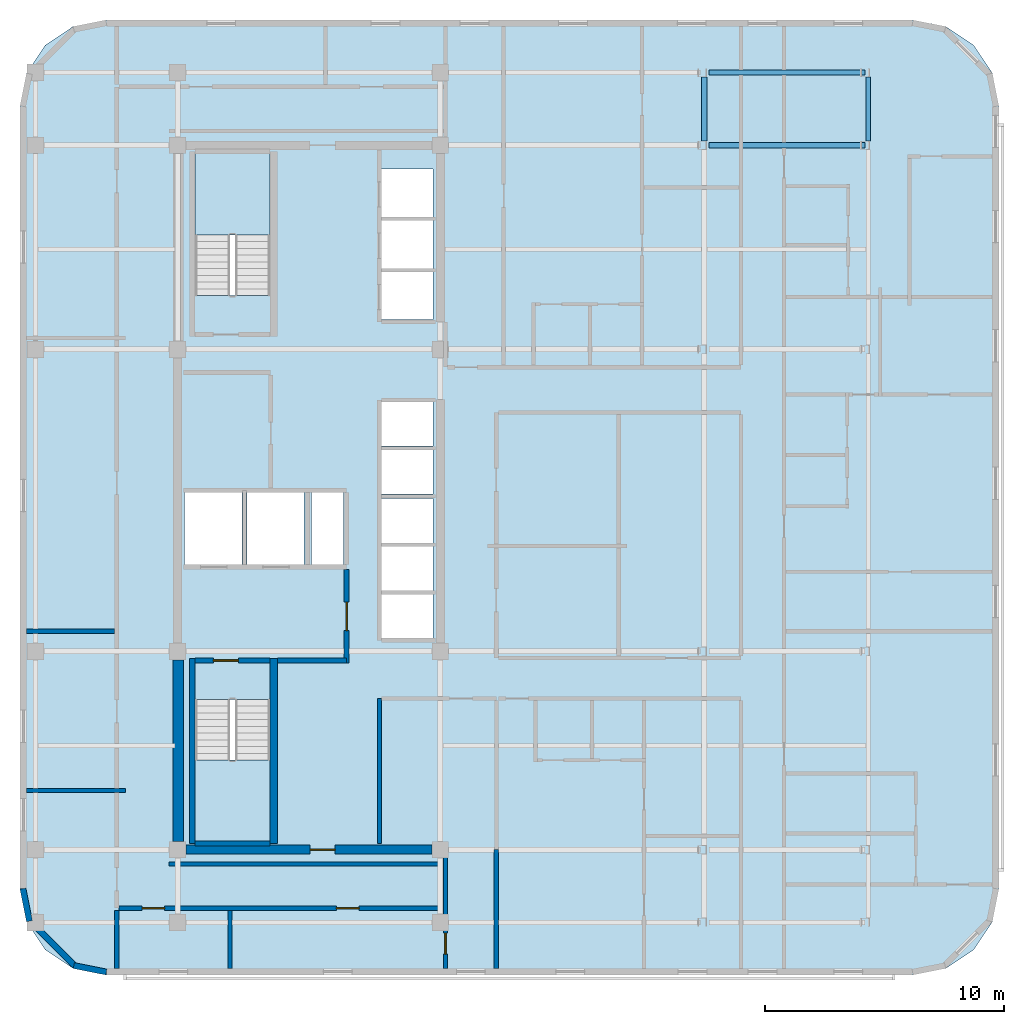
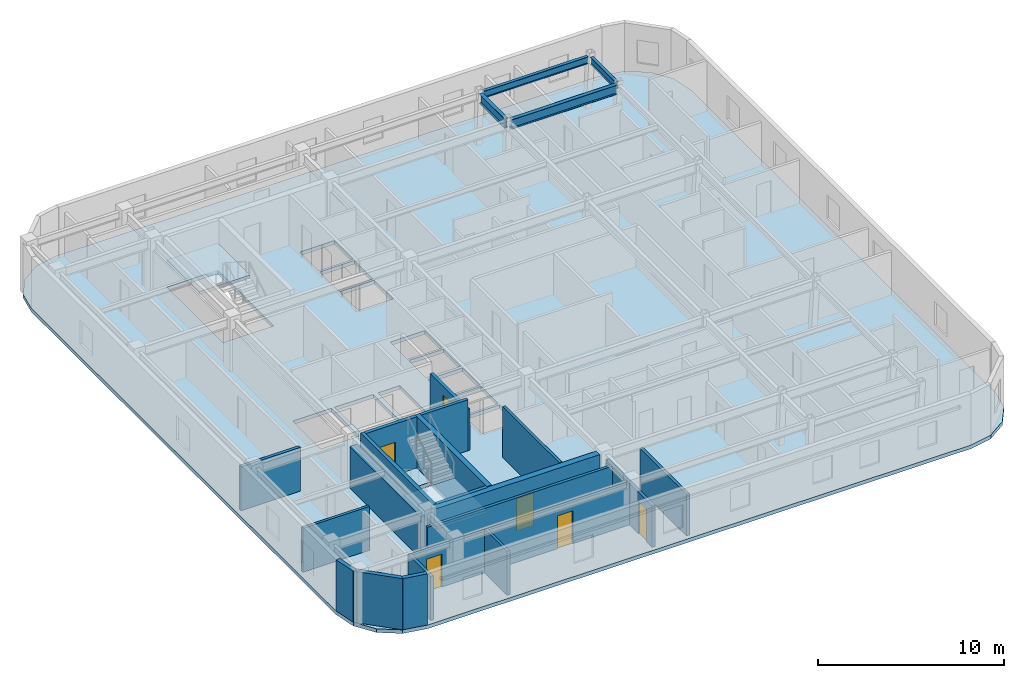
# One storey, part 2 of 10: 20 walls, 6 doors, 4 beams, 3 slabs, 6 openings, 2 elements without a shape of their own.
"""IFC4 building model written with IfcOpenShell, lengths in metres."""

from ifc_helpers import new_model, si_unit, direction, frame, frame_2d, origin, origin_2d, place, context, subcontext, project, spatial, polyline, rectangle, i_section, outline, extrude, material, layer, layer_set, material_profile, profile_set, type_object, element, fill, aggregate, save


model = new_model("IFC4")

# Units and contexts
model_context = context("Model", 3, precision=1e-05, world=origin(), true_north=direction((0.0, 1.0)))
body_context = subcontext(model_context, "Body", "Model", "MODEL_VIEW")
ifc_project = project(units=[si_unit("LENGTHUNIT", "METRE"), si_unit("AREAUNIT", "SQUARE_METRE"), si_unit("VOLUMEUNIT", "CUBIC_METRE"), si_unit("PLANEANGLEUNIT", "RADIAN"), si_unit("MASSUNIT", "GRAM", prefix="KILO")], contexts=[model_context])

# Site, building, storey
site_placement = place(None, origin())
site = spatial("IfcSite", under=ifc_project, at=site_placement, CompositionType="ELEMENT")
building_placement = place(site_placement, origin())
building = spatial("IfcBuilding", under=site, at=building_placement, Name="Ochreholt Gables", CompositionType="ELEMENT")
storey_placement = place(building_placement, frame((0.0, 0.0, 177.60009765625)))
storey = spatial("IfcBuildingStorey", under=building, at=storey_placement, Name="L46", CompositionType="ELEMENT", Elevation=177.60009765625)

# Beams
ifc_material_1 = material(Name="Steel CSA G40.21 350W", Category="steel")
ifc_material_profile_1 = material_profile(ifc_material_1, i_section(OverallWidth=0.22900390625, OverallDepth=0.612060546875, WebThickness=0.011962890625, FlangeThickness=0.01953125, at=origin_2d()), Name="W610X125")
ifc_profile_set_1 = profile_set([ifc_material_profile_1], Name="Steel CSA G40.21 350W")
beam_type_1 = type_object("IfcBeamType", Name="BM-G-W610B", PredefinedType="BEAM", material=ifc_profile_set_1)
beam_1_placement = place(storey_placement, frame((46.45556640625, 38.75, 3.053955078125), z_axis=(1.0, 0.0, 0.0), x_axis=(0.0, 1.0, 0.0)))
element("IfcBeam", 1, at=beam_1_placement, inside=storey, type_object=beam_type_1, Name="L46 Beam TBG-L46-EMEE-Y5", PredefinedType="BEAM", context=body_context, shape_type="SweptSolid", body=[
    extrude(i_section(OverallWidth=0.22900390625, OverallDepth=0.612060546875, WebThickness=0.011962890625, FlangeThickness=0.01953125, at=origin_2d()), origin(), (0.0, 0.0, 1.0), 6.533203125),
])
beam_2_placement = place(storey_placement, frame((46.2607421875, 38.927490234375, 3.053955078125), z_axis=(0.0, 1.0, 0.0), x_axis=(-1.0, 0.0, 0.0)))
element("IfcBeam", 2, at=beam_2_placement, inside=storey, type_object=beam_type_1, Name="L46 Beam TBN-L46-EM-Y5Y6", PredefinedType="BEAM", context=body_context, shape_type="SweptSolid", body=[
    extrude(i_section(OverallWidth=0.22900390625, OverallDepth=0.612060546875, WebThickness=0.011962890625, FlangeThickness=0.01953125, at=origin_2d()), origin(), (0.0, 0.0, 1.0), 2.69482421875),
])
ifc_material_profile_2 = material_profile(ifc_material_1, i_section(OverallWidth=0.19189453125, OverallDepth=0.462890625, WebThickness=0.010498046875, FlangeThickness=0.017578125, at=origin_2d()), Name="W460X89")
ifc_profile_set_2 = profile_set([ifc_material_profile_2], Name="Steel CSA G40.21 350W")
beam_type_2 = type_object("IfcBeamType", Name="BM-SP-W460A", PredefinedType="SPANDREL", material=ifc_profile_set_2)
beam_3_placement = place(storey_placement, frame((46.45556640625, 41.800048828125, 3.12841796875), z_axis=(1.0, 0.0, 0.0), x_axis=(0.0, 1.0, 0.0)))
element("IfcBeam", 3, at=beam_3_placement, inside=storey, type_object=beam_type_2, Name="L46 Beam TBG-L46-EMEE-Y6", PredefinedType="SPANDREL", context=body_context, shape_type="SweptSolid", body=[
    extrude(i_section(OverallWidth=0.19189453125, OverallDepth=0.462890625, WebThickness=0.010498046875, FlangeThickness=0.017578125, at=origin_2d()), origin(), (0.0, 0.0, 1.0), 6.533203125),
])
beam_4_placement = place(storey_placement, frame((53.137939453125, 38.927490234375, 3.12841796875), z_axis=(0.0, 1.0, 0.0), x_axis=(-1.0, 0.0, 0.0)))
element("IfcBeam", 4, at=beam_4_placement, inside=storey, type_object=beam_type_2, Name="L46 Beam TBN-L46-EE-Y5Y6", PredefinedType="SPANDREL", context=body_context, shape_type="SweptSolid", body=[
    extrude(i_section(OverallWidth=0.19189453125, OverallDepth=0.462890625, WebThickness=0.010498046875, FlangeThickness=0.017578125, at=origin_2d()), origin(), (0.0, 0.0, 1.0), 2.69482421875),
])

# Stair, slab
ifc_material_2 = material(Name="Concrete 40 MPa", Category="concrete")
stair_type_1 = type_object("IfcStairType", Name="STAIR-CORE-ST-1", PredefinedType="HALF_TURN_STAIR", material=ifc_material_2)
stair_1_placement = place(storey_placement, origin())
stair_1 = element("IfcStair", 5, at=stair_1_placement, inside=storey, type_object=stair_type_1, Name="L46 Core Exit Stair 1", PredefinedType="HALF_TURN_STAIR")
ifc_layer_1 = layer(ifc_material_2, 0.199951171875, Name="Concrete 40 MPa")
ifc_layer_set_1 = layer_set([ifc_layer_1], Name="Concrete 40 MPa")
slab_type_1 = type_object("IfcSlabType", Name="LANDING-RC200", PredefinedType="LANDING", material=ifc_layer_set_1)
slab_1_placement = place(storey_placement, frame((0.0, 0.0, 1.599853515625)))
slab_1 = element("IfcSlab", 6, at=slab_1_placement, type_object=slab_type_1, Name="ST-1 landing 1", PredefinedType="LANDING", context=body_context, shape_type="SweptSolid", body=[
    extrude(outline(polyline([(24.919921875, 13.001953125), (24.919921875, 9.52001953125), (28.080078125, 9.52001953125), (28.080078125, 13.001953125), (24.919921875, 13.001953125)])), origin(), (0.0, 0.0, 1.0), 0.199951171875),
])
aggregate(stair_1, [slab_1])

stair_type_2 = type_object("IfcStairType", Name="STAIR-CORE-ST-2", PredefinedType="HALF_TURN_STAIR", material=ifc_material_2)
stair_2_placement = place(storey_placement, origin())
stair_2 = element("IfcStair", 7, at=stair_2_placement, inside=storey, type_object=stair_type_2, Name="L46 Core Exit Stair 2", PredefinedType="HALF_TURN_STAIR")
slab_2_placement = place(storey_placement, frame((0.0, 0.0, 1.599853515625)))
slab_2 = element("IfcSlab", 8, at=slab_2_placement, type_object=slab_type_1, Name="ST-2 landing 1", PredefinedType="LANDING", context=body_context, shape_type="SweptSolid", body=[
    extrude(outline(polyline([(28.080078125, 34.998046875), (28.080078125, 38.47998046875), (24.919921875, 38.47998046875), (24.919921875, 34.998046875), (28.080078125, 34.998046875)])), origin(), (0.0, 0.0, 1.0), 0.199951171875),
])
aggregate(stair_2, [slab_2])

# Slab
ifc_layer_2 = layer(ifc_material_2, 0.239990234375, Name="Concrete 40 MPa")
ifc_layer_set_2 = layer_set([ifc_layer_2], Name="Concrete 40 MPa")
slab_type_2 = type_object("IfcSlabType", Name="SLAB-TWR-240", PredefinedType="FLOOR", material=ifc_layer_set_2)
slab_3_placement = place(storey_placement, frame((0.0, 0.0, -0.239990234375)))
element("IfcSlab", 9, at=slab_3_placement, inside=storey, type_object=slab_type_2, Name="L46 Structural Floor Slab", PredefinedType="FLOOR", context=body_context, shape_type="SweptSolid", body=[
    extrude(outline(polyline([(17.60009765625, 7.60009765625), (17.8740234375, 6.222412109375), (18.654296875, 5.054443359375), (19.822265625, 4.27392578125), (21.199951171875, 4.0), (55.0, 4.0), (56.377685546875, 4.27392578125), (57.545654296875, 5.054443359375), (58.325927734375, 6.222412109375), (58.60009765625, 7.60009765625), (58.60009765625, 40.39990234375), (58.325927734375, 41.777587890625), (57.545654296875, 42.945556640625), (56.377685546875, 43.72607421875), (55.0, 44.0), (21.199951171875, 44.0), (19.822265625, 43.72607421875), (18.654296875, 42.945556640625), (17.8740234375, 41.777587890625), (17.60009765625, 40.39990234375), (17.60009765625, 7.60009765625)]), holes=[polyline([(24.919921875, 15.539306640625), (24.919921875, 9.52001953125), (28.080078125, 9.52001953125), (28.080078125, 15.539306640625), (24.919921875, 15.539306640625)]), polyline([(28.080078125, 32.460693359375), (28.080078125, 38.47998046875), (24.919921875, 38.47998046875), (24.919921875, 32.460693359375), (28.080078125, 32.460693359375)]), polyline([(24.5, 21.199951171875), (26.89990234375, 21.199951171875), (26.89990234375, 24.199951171875), (24.5, 24.199951171875), (24.5, 21.199951171875)]), polyline([(27.10009765625, 21.199951171875), (29.5, 21.199951171875), (29.5, 24.199951171875), (27.10009765625, 24.199951171875), (27.10009765625, 21.199951171875)]), polyline([(32.75, 18.10009765625), (34.89990234375, 18.10009765625), (34.89990234375, 19.949951171875), (32.75, 19.949951171875), (32.75, 18.10009765625)]), polyline([(32.75, 20.10009765625), (34.89990234375, 20.10009765625), (34.89990234375, 21.949951171875), (32.75, 21.949951171875), (32.75, 20.10009765625)]), polyline([(32.75, 22.10009765625), (34.89990234375, 22.10009765625), (34.89990234375, 23.949951171875), (32.75, 23.949951171875), (32.75, 22.10009765625)]), polyline([(32.75, 24.14990234375), (34.89990234375, 24.14990234375), (34.89990234375, 26.0), (32.75, 26.0), (32.75, 24.14990234375)]), polyline([(32.75, 26.14990234375), (34.89990234375, 26.14990234375), (34.89990234375, 28.0), (32.75, 28.0), (32.75, 26.14990234375)]), polyline([(32.75, 31.449951171875), (34.89990234375, 31.449951171875), (34.89990234375, 33.449951171875), (32.75, 33.449951171875), (32.75, 31.449951171875)]), polyline([(32.75, 33.60009765625), (34.89990234375, 33.60009765625), (34.89990234375, 35.60009765625), (32.75, 35.60009765625), (32.75, 33.60009765625)]), polyline([(32.75, 35.75), (34.89990234375, 35.75), (34.89990234375, 37.75), (32.75, 37.75), (32.75, 35.75)]), polyline([(29.800048828125, 21.199951171875), (31.14990234375, 21.199951171875), (31.14990234375, 24.199951171875), (29.800048828125, 24.199951171875), (29.800048828125, 21.199951171875)])]), origin(), (0.0, 0.0, 1.0), 0.239990234375),
])

# Wall, opening, door
ifc_material_3 = material(Name="Concrete 50 MPa", Category="concrete")
ifc_layer_3 = layer(ifc_material_3, 0.3798828125, Name="Concrete 50 MPa")
ifc_layer_set_3 = layer_set([ifc_layer_3], Name="Concrete 50 MPa")
wall_type_1 = type_object("IfcWallType", Name="WALL-CSW-380", PredefinedType="SHEAR", material=ifc_layer_set_3)
wall_1_placement = place(storey_placement, frame((24.550048828125, 9.25, 0.0), z_axis=(0.0, 0.0, 1.0), x_axis=(1.0, 0.0, 0.0)))
wall_1 = element("IfcWall", 10, at=wall_1_placement, inside=storey, type_object=wall_type_1, Name="L46 Core South Shear Wall", PredefinedType="SHEAR", context=body_context, shape_type="SweptSolid", body=[
    extrude(rectangle(XDim=10.300048828125, YDim=0.3798828125, at=frame_2d((5.14990234375, 0.0))), origin(), (0.0, 0.0, 1.0), 3.35986328125),
])
opening_1_placement = place(wall_1_placement, frame((5.199951171875, 0.0, 0.0)))
opening_1 = element("IfcOpeningElement", 11, at=opening_1_placement, cuts=wall_1, Name="Opening D-FLB", PredefinedType="OPENING", context=body_context, shape_type="SweptSolid", body=[
    extrude(rectangle(XDim=1.050048828125, YDim=2.14990234375, at=frame_2d((0.52490234375, 1.074951171875))), frame((0.0, 0.199951171875, 0.0), z_axis=(0.0, -1.0, 0.0), x_axis=(1.0, 0.0, 0.0)), (0.0, 0.0, 1.0), 0.39990234375),
])
ifc_material_4 = material(Name="Hollow Metal Steel", Category="steel")
door_type_1 = type_object("IfcDoorType", Name="DR-INT-FLB1050", OperationType="NOTDEFINED", PredefinedType="DOOR", material=ifc_material_4)
door_1_placement = place(opening_1_placement, origin())
door_1 = element("IfcDoor", 12, at=door_1_placement, inside=storey, type_object=door_type_1, Name="L46 Door D-C2CRS-L46", OperationType="SINGLE_SWING_LEFT", OverallHeight=2.14990234375, OverallWidth=1.050048828125, PredefinedType="DOOR", context=body_context, shape_type="SweptSolid", body=[
    extrude(rectangle(XDim=1.050048828125, YDim=2.14990234375, at=frame_2d((0.52490234375, 1.074951171875))), frame((0.0, 0.02490234375, 0.0), z_axis=(0.0, -1.0, 0.0), x_axis=(1.0, 0.0, 0.0)), (0.0, 0.0, 1.0), 0.050048828125),
])
fill(opening_1, door_1)

# Walls
ifc_material_5 = material(Name="Concrete 60 MPa", Category="concrete")
ifc_layer_4 = layer(ifc_material_5, 0.449951171875, Name="Concrete 60 MPa")
ifc_layer_set_4 = layer_set([ifc_layer_4], Name="Concrete 60 MPa")
wall_type_2 = type_object("IfcWallType", Name="WALL-CSW-450", PredefinedType="SHEAR", material=ifc_layer_set_4)
wall_2_placement = place(storey_placement, frame((24.22509765625, 9.60009765625, 0.0), z_axis=(0.0, 0.0, 1.0), x_axis=(0.0, 1.0, 0.0)))
element("IfcWall", 13, at=wall_2_placement, inside=storey, type_object=wall_type_2, Name="L46 Core West Shear Wall WS", PredefinedType="SHEAR", context=body_context, shape_type="SweptSolid", body=[
    extrude(rectangle(XDim=7.599853515625, YDim=0.449951171875, at=frame_2d((3.7998046875, 0.0))), origin(), (0.0, 0.0, 1.0), 2.747802734375),
])
ifc_material_6 = material(Name="Precast concrete 40 MPa", Category="concrete")
ifc_layer_5 = layer(ifc_material_6, 0.25, Name="Precast concrete 40 MPa")
ifc_layer_set_5 = layer_set([ifc_layer_5], Name="Precast concrete 40 MPa")
wall_type_3 = type_object("IfcWallType", Name="WALL-EXT-CNR", PredefinedType="SOLIDWALL", material=ifc_layer_set_5)
wall_3_placement = place(storey_placement, frame((17.72412109375, 7.616455078125, 0.0), z_axis=(0.0, 0.0, 1.0), x_axis=(0.195135625965, -0.9807762678, 0.0)))
element("IfcWall", 14, at=wall_3_placement, inside=storey, type_object=wall_type_3, Name="L46 Rounded Corner Wall SW-1", PredefinedType="SOLIDWALL", context=body_context, shape_type="SweptSolid", body=[
    extrude(rectangle(XDim=1.388671875, YDim=0.25, at=frame_2d((0.6943359375, 0.0))), origin(), (0.0, 0.0, 1.0), 3.35986328125),
])
wall_4_placement = place(storey_placement, frame((17.968017578125, 6.304931640625, 0.0), z_axis=(0.0, 0.0, 1.0), x_axis=(0.707106781187, -0.707106781187, 0.0)))
element("IfcWall", 15, at=wall_4_placement, inside=storey, type_object=wall_type_3, Name="L46 Rounded Corner Wall SW-2", PredefinedType="SOLIDWALL", context=body_context, shape_type="SweptSolid", body=[
    extrude(rectangle(XDim=2.7392578125, YDim=0.25, at=frame_2d((1.36962890625, 0.0))), origin(), (0.0, 0.0, 1.0), 3.35986328125),
])
wall_5_placement = place(storey_placement, frame((19.8544921875, 4.39501953125, 0.0), z_axis=(0.0, 0.0, 1.0), x_axis=(0.980809899341, -0.19496651342, 0.0)))
element("IfcWall", 16, at=wall_5_placement, inside=storey, type_object=wall_type_3, Name="L46 Rounded Corner Wall SW-3", PredefinedType="SOLIDWALL", context=body_context, shape_type="SweptSolid", body=[
    extrude(rectangle(XDim=1.388671875, YDim=0.25, at=frame_2d((0.6943359375, 0.0))), origin(), (0.0, 0.0, 1.0), 3.35986328125),
])
ifc_layer_6 = layer(ifc_material_2, 0.199951171875, Name="Concrete 40 MPa")
ifc_layer_set_6 = layer_set([ifc_layer_6], Name="Concrete 40 MPa")
wall_type_4 = type_object("IfcWallType", Name="WALL-INT-CF200", PredefinedType="STANDARD", material=ifc_layer_set_6)
wall_6_placement = place(storey_placement, frame((28.3798828125, 17.169921875, 0.0), z_axis=(0.0, 0.0, 1.0), x_axis=(1.0, 0.0, 0.0)))
element("IfcWall", 17, at=wall_6_placement, inside=storey, type_object=wall_type_4, Name="L46 Interior Wall WI-FFS-L46", PredefinedType="STANDARD", context=body_context, shape_type="SweptSolid", body=[
    extrude(rectangle(XDim=2.900146484375, YDim=0.199951171875, at=frame_2d((1.4501953125, 0.0))), origin(), (0.0, 0.0, 1.0), 3.35986328125),
])

# Wall, opening, door
wall_7_placement = place(storey_placement, frame((31.280029296875, 17.070068359375, 0.0), z_axis=(0.0, 0.0, 1.0), x_axis=(0.0, 1.0, 0.0)))
wall_7 = element("IfcWall", 18, at=wall_7_placement, inside=storey, type_object=wall_type_4, Name="L46 Interior Wall WI-FFE-L46", PredefinedType="STANDARD", context=body_context, shape_type="SweptSolid", body=[
    extrude(rectangle(XDim=3.919921875, YDim=0.199951171875, at=frame_2d((1.9599609375, 0.0))), origin(), (0.0, 0.0, 1.0), 2.72998046875),
])
opening_2_placement = place(wall_7_placement, frame((1.35009765625, 0.0, 0.0)))
opening_2 = element("IfcOpeningElement", 19, at=opening_2_placement, cuts=wall_7, Name="Opening D-FFL", PredefinedType="OPENING", context=body_context, shape_type="SweptSolid", body=[
    extrude(rectangle(XDim=1.199951171875, YDim=2.14990234375, at=frame_2d((0.60009765625, 1.074951171875))), frame((0.0, 0.10986328125, 0.0), z_axis=(0.0, -1.0, 0.0), x_axis=(1.0, 0.0, 0.0)), (0.0, 0.0, 1.0), 0.219970703125),
])
door_type_2 = type_object("IfcDoorType", Name="DR-INT-FFL1200", OperationType="NOTDEFINED", PredefinedType="DOOR", material=ifc_material_4)
door_2_placement = place(opening_2_placement, origin())
door_2 = element("IfcDoor", 20, at=door_2_placement, inside=storey, type_object=door_type_2, Name="L46 Door D-FFL-L46", OperationType="SINGLE_SWING_LEFT", OverallHeight=2.14990234375, OverallWidth=1.199951171875, PredefinedType="DOOR", context=body_context, shape_type="SweptSolid", body=[
    extrude(rectangle(XDim=1.199951171875, YDim=2.14990234375, at=frame_2d((0.60009765625, 1.074951171875))), frame((0.0, 0.02490234375, 0.0), z_axis=(0.0, -1.0, 0.0), x_axis=(1.0, 0.0, 0.0)), (0.0, 0.0, 1.0), 0.050048828125),
])
fill(opening_2, door_2)

# Wall, openings, doors
ifc_material_7 = material(Name="Fire-Rated Gypsum Acoustic Partition", Category="gypsum")
ifc_layer_7 = layer(ifc_material_7, 0.179931640625, Name="Fire-Rated Gypsum Acoustic Partition")
ifc_layer_set_7 = layer_set([ifc_layer_7], Name="Fire-Rated Gypsum Acoustic Partition")
wall_type_5 = type_object("IfcWallType", Name="WALL-INT-CR180", PredefinedType="STANDARD", material=ifc_layer_set_7)
wall_8_placement = place(storey_placement, frame((21.739990234375, 6.800048828125, 0.0), z_axis=(0.0, 0.0, 1.0), x_axis=(1.0, 0.0, 0.0)))
wall_8 = element("IfcWall", 21, at=wall_8_placement, inside=storey, type_object=wall_type_5, Name="L46 Interior Wall WI-C2WCS-L46", PredefinedType="STANDARD", context=body_context, shape_type="SweptSolid", body=[
    extrude(rectangle(XDim=13.679931640625, YDim=0.179931640625, at=frame_2d((6.83984375, 0.0))), origin(), (0.0, 0.0, 1.0), 2.72998046875),
])
opening_3_placement = place(wall_8_placement, frame((0.969970703125, 0.0, 0.0)))
opening_3 = element("IfcOpeningElement", 22, at=opening_3_placement, cuts=wall_8, Name="Opening D-GN1", PredefinedType="OPENING", context=body_context, shape_type="SweptSolid", body=[
    extrude(rectangle(XDim=0.949951171875, YDim=2.14990234375, at=frame_2d((0.47509765625, 1.074951171875))), frame((0.0, 0.099853515625, 0.0), z_axis=(0.0, -1.0, 0.0), x_axis=(1.0, 0.0, 0.0)), (0.0, 0.0, 1.0), 0.199951171875),
])
opening_4_placement = place(wall_8_placement, frame((9.110107421875, 0.0, 0.0)))
opening_4 = element("IfcOpeningElement", 23, at=opening_4_placement, cuts=wall_8, Name="Opening D-GN1", PredefinedType="OPENING", context=body_context, shape_type="SweptSolid", body=[
    extrude(rectangle(XDim=0.949951171875, YDim=2.14990234375, at=frame_2d((0.47509765625, 1.074951171875))), frame((0.0, 0.099853515625, 0.0), z_axis=(0.0, -1.0, 0.0), x_axis=(1.0, 0.0, 0.0)), (0.0, 0.0, 1.0), 0.199951171875),
])
ifc_material_8 = material(Name="Engineered Oak Timber", Category="wood")
door_type_3 = type_object("IfcDoorType", Name="DR-INT-GEN950", OperationType="NOTDEFINED", PredefinedType="DOOR", material=ifc_material_8)
door_3_placement = place(opening_3_placement, origin())
door_3 = element("IfcDoor", 24, at=door_3_placement, inside=storey, type_object=door_type_3, Name="L46 Door D-C2STL1-L46", OperationType="SINGLE_SWING_LEFT", OverallHeight=2.14990234375, OverallWidth=0.949951171875, PredefinedType="DOOR", context=body_context, shape_type="SweptSolid", body=[
    extrude(rectangle(XDim=0.949951171875, YDim=2.14990234375, at=frame_2d((0.47509765625, 1.074951171875))), frame((0.0, 0.02490234375, 0.0), z_axis=(0.0, -1.0, 0.0), x_axis=(1.0, 0.0, 0.0)), (0.0, 0.0, 1.0), 0.050048828125),
])
fill(opening_3, door_3)
door_4_placement = place(opening_4_placement, origin())
door_4 = element("IfcDoor", 25, at=door_4_placement, inside=storey, type_object=door_type_3, Name="L46 Door D-C2STL2-L46", OperationType="SINGLE_SWING_RIGHT", OverallHeight=2.14990234375, OverallWidth=0.949951171875, PredefinedType="DOOR", context=body_context, shape_type="SweptSolid", body=[
    extrude(rectangle(XDim=0.949951171875, YDim=2.14990234375, at=frame_2d((0.47509765625, 1.074951171875))), frame((0.0, 0.02490234375, 0.0), z_axis=(0.0, -1.0, 0.0), x_axis=(1.0, 0.0, 0.0)), (0.0, 0.0, 1.0), 0.050048828125),
])
fill(opening_4, door_4)

# Walls
wall_9_placement = place(storey_placement, frame((23.85009765625, 8.64990234375, 0.0), z_axis=(0.0, 0.0, 1.0), x_axis=(1.0, 0.0, 0.0)))
element("IfcWall", 26, at=wall_9_placement, inside=storey, type_object=wall_type_5, Name="L46 Interior Wall WI-C2WCS2-L46", PredefinedType="STANDARD", context=body_context, shape_type="SweptSolid", body=[
    extrude(rectangle(XDim=11.56982421875, YDim=0.179931640625, at=frame_2d((5.784912109375, 0.0))), origin(), (0.0, 0.0, 1.0), 2.72998046875),
])
ifc_material_9 = material(Name="Double-Stud Acoustic Demising Wall", Category="gypsum")
ifc_layer_8 = layer(ifc_material_9, 0.179931640625, Name="Double-Stud Acoustic Demising Wall")
ifc_layer_set_8 = layer_set([ifc_layer_8], Name="Double-Stud Acoustic Demising Wall")
wall_type_6 = type_object("IfcWallType", Name="WALL-INT-DM180", PredefinedType="PARTITIONING", material=ifc_layer_set_8)
wall_10_placement = place(storey_placement, frame((21.64990234375, 4.280029296875, 0.0), z_axis=(0.0, 0.0, 1.0), x_axis=(0.0, 1.0, 0.0)))
element("IfcWall", 27, at=wall_10_placement, inside=storey, type_object=wall_type_6, Name="L46 Interior Wall WI-C2WWS-L46", PredefinedType="PARTITIONING", context=body_context, shape_type="SweptSolid", body=[
    extrude(rectangle(XDim=2.429931640625, YDim=0.179931640625, at=frame_2d((1.21484375, 0.0))), origin(), (0.0, 0.0, 1.0), 2.87890625),
])

# Wall, opening, door
wall_11_placement = place(storey_placement, frame((35.419921875, 4.280029296875, 0.0), z_axis=(0.0, 0.0, 1.0), x_axis=(0.0, 1.0, 0.0)))
wall_11 = element("IfcWall", 28, at=wall_11_placement, inside=storey, type_object=wall_type_6, Name="L46 Interior Wall WI-C2SES-L46", PredefinedType="PARTITIONING", context=body_context, shape_type="SweptSolid", body=[
    extrude(rectangle(XDim=4.969970703125, YDim=0.179931640625, at=frame_2d((2.48486328125, 0.0))), origin(), (0.0, 0.0, 1.0), 2.72998046875),
])
opening_5_placement = place(wall_11_placement, frame((0.590087890625, 0.0, 0.0)))
opening_5 = element("IfcOpeningElement", 29, at=opening_5_placement, cuts=wall_11, Name="Opening D-GN2", PredefinedType="OPENING", context=body_context, shape_type="SweptSolid", body=[
    extrude(rectangle(XDim=0.8798828125, YDim=2.1201171875, at=frame_2d((0.43994140625, 1.06005859375))), frame((0.0, 0.099853515625, 0.0), z_axis=(0.0, -1.0, 0.0), x_axis=(1.0, 0.0, 0.0)), (0.0, 0.0, 1.0), 0.199951171875),
])
door_type_4 = type_object("IfcDoorType", Name="DR-INT-GEN880", OperationType="NOTDEFINED", PredefinedType="DOOR", material=ifc_material_8)
door_5_placement = place(opening_5_placement, origin())
door_5 = element("IfcDoor", 30, at=door_5_placement, inside=storey, type_object=door_type_4, Name="L46 Door D-C2SPS-L46", OperationType="SINGLE_SWING_LEFT", OverallHeight=2.1201171875, OverallWidth=0.8798828125, PredefinedType="DOOR", context=body_context, shape_type="SweptSolid", body=[
    extrude(rectangle(XDim=0.8798828125, YDim=2.1201171875, at=frame_2d((0.43994140625, 1.06005859375))), frame((0.0, 0.02490234375, 0.0), z_axis=(0.0, -1.0, 0.0), x_axis=(1.0, 0.0, 0.0)), (0.0, 0.0, 1.0), 0.050048828125),
])
fill(opening_5, door_5)

# Walls
wall_12_placement = place(storey_placement, frame((37.550048828125, 4.280029296875, 0.0), z_axis=(0.0, 0.0, 1.0), x_axis=(0.0, 1.0, 0.0)))
element("IfcWall", 31, at=wall_12_placement, inside=storey, type_object=wall_type_6, Name="L46 Interior Wall WI-C2SEW2-L46", PredefinedType="PARTITIONING", context=body_context, shape_type="SweptSolid", body=[
    extrude(rectangle(XDim=4.969970703125, YDim=0.179931640625, at=frame_2d((2.48486328125, 0.0))), origin(), (0.0, 0.0, 1.0), 2.72998046875),
])
wall_13_placement = place(storey_placement, frame((17.8798828125, 18.39990234375, 0.0), z_axis=(0.0, 0.0, 1.0), x_axis=(1.0, 0.0, 0.0)))
element("IfcWall", 32, at=wall_13_placement, inside=storey, type_object=wall_type_6, Name="L46 Interior Wall WI-C2UDW2-L46", PredefinedType="PARTITIONING", context=body_context, shape_type="SweptSolid", body=[
    extrude(rectangle(XDim=3.68017578125, YDim=0.179931640625, at=frame_2d((1.840087890625, 0.0))), origin(), (0.0, 0.0, 1.0), 2.87890625),
])
ifc_material_10 = material(Name="Gypsum Acoustic Stud Partition", Category="gypsum")
ifc_layer_9 = layer(ifc_material_10, 0.1650390625, Name="Gypsum Acoustic Stud Partition")
ifc_layer_set_9 = layer_set([ifc_layer_9], Name="Gypsum Acoustic Stud Partition")
wall_type_7 = type_object("IfcWallType", Name="WALL-INT-PT165", PredefinedType="PARTITIONING", material=ifc_layer_set_9)
wall_14_placement = place(storey_placement, frame((32.64990234375, 9.5, 0.0), z_axis=(0.0, 0.0, 1.0), x_axis=(0.0, 1.0, 0.0)))
element("IfcWall", 33, at=wall_14_placement, inside=storey, type_object=wall_type_7, Name="L46 Interior Wall WI-RCL-W-L46", PredefinedType="PARTITIONING", context=body_context, shape_type="SweptSolid", body=[
    extrude(rectangle(XDim=6.080078125, YDim=0.1650390625, at=frame_2d((3.0400390625, 0.0))), origin(), (0.0, 0.0, 1.0), 3.35986328125),
])
wall_15_placement = place(storey_placement, frame((17.8798828125, 11.72509765625, 0.0), z_axis=(0.0, 0.0, 1.0), x_axis=(1.0, 0.0, 0.0)))
element("IfcWall", 34, at=wall_15_placement, inside=storey, type_object=wall_type_7, Name="L46 Interior Wall WU-L46W1-SDV", PredefinedType="PARTITIONING", context=body_context, shape_type="SweptSolid", body=[
    extrude(rectangle(XDim=4.130126953125, YDim=0.1650390625, at=frame_2d((2.06494140625, 0.0))), origin(), (0.0, 0.0, 1.0), 2.87890625),
])
wall_16_placement = place(storey_placement, frame((26.39990234375, 4.280029296875, 0.0), z_axis=(0.0, 0.0, 1.0), x_axis=(0.0, 1.0, 0.0)))
element("IfcWall", 35, at=wall_16_placement, inside=storey, type_object=wall_type_7, Name="L46 Interior Wall WI-C2PKS-L46", PredefinedType="PARTITIONING", context=body_context, shape_type="SweptSolid", body=[
    extrude(rectangle(XDim=2.429931640625, YDim=0.1650390625, at=frame_2d((1.21484375, 0.0))), origin(), (0.0, 0.0, 1.0), 2.87890625),
])
ifc_layer_10 = layer(ifc_material_5, 0.300048828125, Name="Concrete 60 MPa")
ifc_layer_set_10 = layer_set([ifc_layer_10], Name="Concrete 60 MPa")
wall_type_8 = type_object("IfcWallType", Name="WALL-SPN-300", PredefinedType="SHEAR", material=ifc_layer_set_10)
wall_17_placement = place(storey_placement, frame((28.22998046875, 9.5, 0.0), z_axis=(0.0, 0.0, 1.0), x_axis=(0.0, 1.0, 0.0)))
element("IfcWall", 36, at=wall_17_placement, inside=storey, type_object=wall_type_8, Name="L46 Core South Spine Shear Wall", PredefinedType="SHEAR", context=body_context, shape_type="SweptSolid", body=[
    extrude(rectangle(XDim=7.760009765625, YDim=0.300048828125, at=frame_2d((3.8798828125, 0.0))), origin(), (0.0, 0.0, 1.0), 3.35986328125),
])
ifc_layer_11 = layer(ifc_material_3, 0.219970703125, Name="Concrete 50 MPa")
ifc_layer_set_11 = layer_set([ifc_layer_11], Name="Concrete 50 MPa")
wall_type_9 = type_object("IfcWallType", Name="WALL-STW-220", PredefinedType="SHEAR", material=ifc_layer_set_11)
wall_18_placement = place(storey_placement, frame((24.81005859375, 9.5, 0.0), z_axis=(0.0, 0.0, 1.0), x_axis=(0.0, 1.0, 0.0)))
element("IfcWall", 37, at=wall_18_placement, inside=storey, type_object=wall_type_9, Name="L46 Exit Stair 1 West Wall", PredefinedType="SHEAR", context=body_context, shape_type="SweptSolid", body=[
    extrude(rectangle(XDim=7.760009765625, YDim=0.219970703125, at=frame_2d((3.8798828125, 0.0))), origin(), (0.0, 0.0, 1.0), 3.35986328125),
])
wall_19_placement = place(storey_placement, frame((24.919921875, 9.510009765625, 0.0), z_axis=(0.0, 0.0, 1.0), x_axis=(1.0, 0.0, 0.0)))
element("IfcWall", 38, at=wall_19_placement, inside=storey, type_object=wall_type_9, Name="L46 Exit Stair 1 South Wall", PredefinedType="SHEAR", context=body_context, shape_type="SweptSolid", body=[
    extrude(rectangle(XDim=3.16015625, YDim=0.219970703125, at=frame_2d((1.580078125, 0.0))), origin(), (0.0, 0.0, 1.0), 3.35986328125),
])

# Wall, opening, door
wall_20_placement = place(storey_placement, frame((24.919921875, 17.169921875, 0.0), z_axis=(0.0, 0.0, 1.0), x_axis=(1.0, 0.0, 0.0)))
wall_20 = element("IfcWall", 39, at=wall_20_placement, inside=storey, type_object=wall_type_9, Name="L46 Exit Stair 1 North Wall", PredefinedType="SHEAR", context=body_context, shape_type="SweptSolid", body=[
    extrude(rectangle(XDim=3.16015625, YDim=0.219970703125, at=frame_2d((1.580078125, 0.0))), origin(), (0.0, 0.0, 1.0), 3.35986328125),
])
opening_6_placement = place(wall_20_placement, frame((0.780029296875, 0.0, 0.0)))
opening_6 = element("IfcOpeningElement", 40, at=opening_6_placement, cuts=wall_20, Name="Opening D-STC", PredefinedType="OPENING", context=body_context, shape_type="SweptSolid", body=[
    extrude(rectangle(XDim=1.050048828125, YDim=2.14990234375, at=frame_2d((0.52490234375, 1.074951171875))), frame((0.0, 0.119873046875, 0.0), z_axis=(0.0, -1.0, 0.0), x_axis=(1.0, 0.0, 0.0)), (0.0, 0.0, 1.0), 0.239990234375),
])
door_type_5 = type_object("IfcDoorType", Name="DR-INT-ST1050", OperationType="NOTDEFINED", PredefinedType="DOOR", material=ifc_material_4)
door_6_placement = place(opening_6_placement, frame((1.050048828125, 0.0, 0.0), z_axis=(0.0, 0.0, 1.0), x_axis=(-1.0, 0.0, 0.0)))
door_6 = element("IfcDoor", 41, at=door_6_placement, inside=storey, type_object=door_type_5, Name="L46 Door D-ST1-L46", OperationType="SINGLE_SWING_LEFT", OverallHeight=2.14990234375, OverallWidth=1.050048828125, PredefinedType="DOOR", context=body_context, shape_type="SweptSolid", body=[
    extrude(rectangle(XDim=1.050048828125, YDim=2.14990234375, at=frame_2d((0.52490234375, 1.074951171875))), frame((0.0, 0.02490234375, 0.0), z_axis=(0.0, -1.0, 0.0), x_axis=(1.0, 0.0, 0.0)), (0.0, 0.0, 1.0), 0.050048828125),
])
fill(opening_6, door_6)

save(model, "model.ifc")
